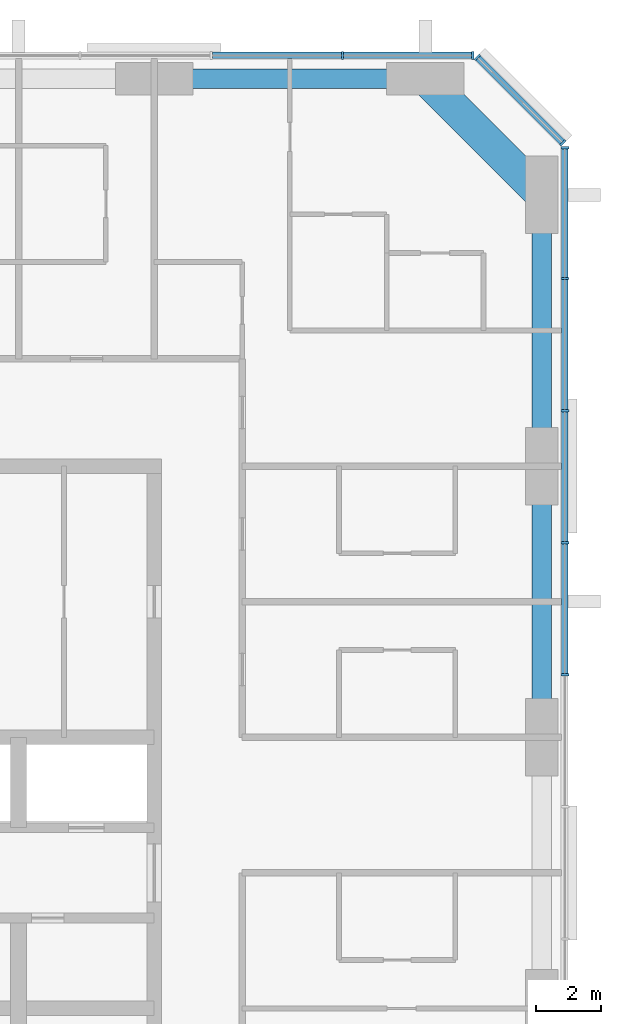
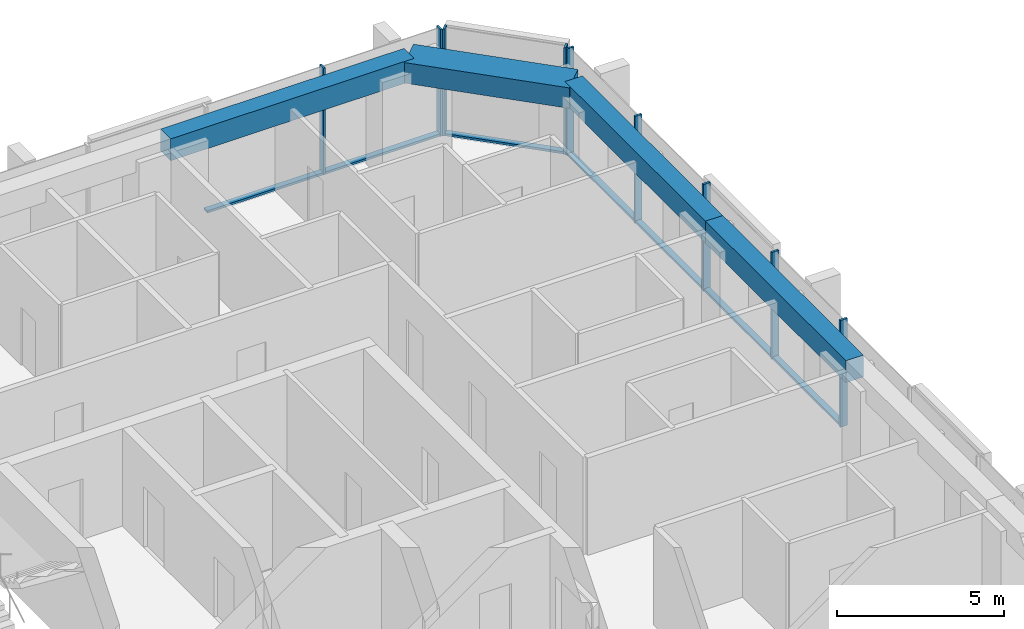
# One storey, part 5 of 12: 16 members, 4 beams, 3 elements without a shape of their own.
"""IFC4 building model written with IfcOpenShell, lengths in metres."""

import ifcopenshell
import ifcopenshell.guid

model = None  # the IFC model being written
_history = None  # IfcOwnerHistory: only IFC2X3 demands one
_inside = {}  # id of a spatial element -> (the spatial element, [elements in it])
_under = {}  # id of a project, library or spatial element -> (it, [spatial elements below it])
_declared = {}  # id of a project -> (the project, [libraries it declares])
_typed = {}  # id of a type object -> (the type object, [elements of that type])
_made_of = {}  # id of a material, layer set ... -> (it, [elements and type objects made of it])


def new_model(schema):
    """Start an empty IFC model of exactly this schema.

    Asked for "IFC4X3", IfcOpenShell would pick the latest addendum, in which some entities
    have other attributes; the version numbers below select the first issue.
    IFC2X3 requires an IfcOwnerHistory on every rooted entity: one is made here for all.
    """
    global model, _history
    if schema == "IFC4X3":
        model = ifcopenshell.file(schema_version=(4, 3, 0, 0))
    else:
        model = ifcopenshell.file(schema=schema)
    _inside.clear()
    _under.clear()
    _declared.clear()
    _typed.clear()
    _made_of.clear()
    _history = None
    if model.schema == "IFC2X3":
        org = make("IfcOrganization", Name="unknown")
        user = make(
            "IfcPersonAndOrganization",
            ThePerson=make("IfcPerson", FamilyName="unknown"),
            TheOrganization=org,
        )
        app = make(
            "IfcApplication",
            ApplicationDeveloper=org,
            Version="unknown",
            ApplicationFullName="unknown",
            ApplicationIdentifier="unknown",
        )
        _history = make(
            "IfcOwnerHistory",
            OwningUser=user,
            OwningApplication=app,
            ChangeAction="ADDED",
            CreationDate=0,
        )
    return model


def make(cls, **values):
    """One entity of the class cls with the attributes given. An attribute that is None is left unset."""
    return model.create_entity(
        cls, **{name: value for name, value in values.items() if value is not None}
    )


def rooted(cls, **values):
    """An entity with a GlobalId (a new one), such as an element, a storey or a relation."""
    return make(cls, GlobalId=ifcopenshell.guid.new(), OwnerHistory=_history, **values)


def si_unit(unit_type, name, prefix=None):
    """IfcSIUnit, for example si_unit("LENGTHUNIT", "METRE", prefix="MILLI")."""
    return make("IfcSIUnit", UnitType=unit_type, Prefix=prefix, Name=name)


def assignment(units):
    """IfcUnitAssignment: the units of a project."""
    return None if units is None else make("IfcUnitAssignment", Units=units)


def point(xyz):
    """IfcCartesianPoint."""
    return None if xyz is None else make("IfcCartesianPoint", Coordinates=xyz)


def direction(xyz):
    """IfcDirection."""
    return None if xyz is None else make("IfcDirection", DirectionRatios=xyz)


def frame(location, z_axis=None, x_axis=None):
    """IfcAxis2Placement3D, a coordinate frame: its origin and axes. An axis left out is left unset."""
    return make(
        "IfcAxis2Placement3D",
        Location=point(location),
        Axis=direction(z_axis),
        RefDirection=direction(x_axis),
    )


def frame_2d(location, x_axis=None):
    """IfcAxis2Placement2D, a coordinate frame in the plane: its origin and x axis."""
    return make(
        "IfcAxis2Placement2D", Location=point(location), RefDirection=direction(x_axis)
    )


def origin():
    """The frame at (0, 0, 0) with its axes left unset."""
    return frame((0.0, 0.0, 0.0))


def origin_2d():
    """The frame at (0, 0) in the plane with its x axis left unset."""
    return frame_2d((0.0, 0.0))


def place(relative_to, where):
    """IfcLocalPlacement: puts the frame where relative to a parent placement (None: the world)."""
    return make(
        "IfcLocalPlacement", PlacementRelTo=relative_to, RelativePlacement=where
    )


def context(
    kind, dimensions, precision=None, world=None, true_north=None, identifier=None
):
    """IfcGeometricRepresentationContext, for example the 3D "Model" context."""
    return make(
        "IfcGeometricRepresentationContext",
        ContextIdentifier=identifier,
        ContextType=kind,
        CoordinateSpaceDimension=dimensions,
        Precision=precision,
        WorldCoordinateSystem=world,
        TrueNorth=true_north,
    )


def subcontext(parent, identifier, kind, view, scale=None):
    """IfcGeometricRepresentationSubContext, for example "Body" below "Model"."""
    return make(
        "IfcGeometricRepresentationSubContext",
        ContextIdentifier=identifier,
        ContextType=kind,
        ParentContext=parent,
        TargetScale=scale,
        TargetView=view,
    )


def project(units=None, contexts=None):
    """IfcProject with its units and contexts."""
    return rooted(
        "IfcProject",
        Name="project",
        RepresentationContexts=contexts,
        UnitsInContext=assignment(units),
    )


def spatial(cls, under=None, at=None, **own):
    """A site, building, storey or space (cls), placed at a placement, below another one or the project."""
    s = rooted(cls, ObjectPlacement=at, **own)
    if under is not None:
        _under.setdefault(under.id(), (under, []))[1].append(s)
    return s


def profile(cls, at=None, kind="AREA", **sizes):
    """A parametric profile (cls). Its sizes go by their IFC names, for example OverallWidth=200.0."""
    return make(cls, ProfileType=kind, Position=at, **sizes)


def rectangle(**sizes):
    """IfcRectangleProfileDef."""
    return profile("IfcRectangleProfileDef", **sizes)


def extrude(swept, where, along, depth):
    """IfcExtrudedAreaSolid: the profile swept, set in the frame where, extruded along a direction by depth."""
    return make(
        "IfcExtrudedAreaSolid",
        SweptArea=swept,
        Position=where,
        ExtrudedDirection=direction(along),
        Depth=depth,
    )


def shape(context_of_items, identifier, shape_type, items):
    """IfcShapeRepresentation: the items that make up one representation, for example the "Body"."""
    return make(
        "IfcShapeRepresentation",
        ContextOfItems=context_of_items,
        RepresentationIdentifier=identifier,
        RepresentationType=shape_type,
        Items=items,
    )


def material(Name=None, Category=None):
    """IfcMaterial."""
    return make("IfcMaterial", Name=Name, Category=Category)


def material_profile(
    of_material, cross_section, Name=None, Category=None, Priority=None
):
    """IfcMaterialProfile: a cross section and its material."""
    return make(
        "IfcMaterialProfile",
        Name=Name,
        Material=of_material,
        Profile=cross_section,
        Priority=Priority,
        Category=Category,
    )


def profile_set(profiles, Name=None, composite=None):
    """IfcMaterialProfileSet."""
    return make(
        "IfcMaterialProfileSet",
        Name=Name,
        MaterialProfiles=profiles,
        CompositeProfile=composite,
    )


def made_of(thing, what):
    """Note that an element or type object is made of a material, layer set ...; save() writes the relation."""
    if what is not None:
        _made_of.setdefault(what.id(), (what, []))[1].append(thing)
    return thing


def type_object(cls, material=None, **own):
    """A type object (cls), such as IfcWallType, which elements share."""
    return made_of(rooted(cls, **own), material)


def element(
    cls,
    number,
    at=None,
    inside=None,
    cuts=None,
    type_object=None,
    material=None,
    context=None,
    identifier="Body",
    shape_type=None,
    held_by="IfcProductDefinitionShape",
    body=None,
    shapes=None,
    **own,
):
    """One element of the class cls, such as IfcWall. Its Tag is "e" and its number.

    at: its placement. inside: the storey or other place that contains it. cuts: it is an
    opening in that element (IfcRelVoidsElement). A single representation is given by context,
    identifier, shape_type and body (its items); several are given by shapes. held_by: the class
    of the entity that holds the representations. save() writes the other relations.
    """
    e = rooted(cls, Tag="e%d" % number, ObjectPlacement=at, **own)
    if body is not None:
        shapes = [shape(context, identifier, shape_type, body)]
    if shapes is not None:
        e.Representation = make(held_by, Representations=shapes)
    if inside is not None:
        _inside.setdefault(inside.id(), (inside, []))[1].append(e)
    if cuts is not None:
        rooted(
            "IfcRelVoidsElement", RelatingBuildingElement=cuts, RelatedOpeningElement=e
        )
    if type_object is not None:
        _typed.setdefault(type_object.id(), (type_object, []))[1].append(e)
    return made_of(e, material)


def aggregate(whole, parts):
    """IfcRelAggregates: a whole, such as a stair, and the parts it consists of."""
    return rooted("IfcRelAggregates", RelatingObject=whole, RelatedObjects=parts)


def save(model, path):
    """Write the relations noted so far, then the file.

    IfcRelAggregates (storeys below a building ...), IfcRelContainedInSpatialStructure (elements
    in a storey), IfcRelDefinesByType, IfcRelAssociatesMaterial and IfcRelDeclares: one each for
    every whole, place, type object, material and project.
    """
    for whole, parts in _under.values():
        aggregate(whole, parts)
    for where, things in _inside.values():
        rooted(
            "IfcRelContainedInSpatialStructure",
            RelatedElements=things,
            RelatingStructure=where,
        )
    for kind, things in _typed.values():
        rooted("IfcRelDefinesByType", RelatedObjects=things, RelatingType=kind)
    for what, things in _made_of.values():
        rooted("IfcRelAssociatesMaterial", RelatedObjects=things, RelatingMaterial=what)
    for by, libraries in _declared.values():
        rooted("IfcRelDeclares", RelatingContext=by, RelatedDefinitions=libraries)
    model.write(path)


model = new_model("IFC4")

# Units and contexts
model_context = context("Model", 3, precision=1e-05, world=origin(), true_north=direction((0.0, 1.0)))
body_context = subcontext(model_context, "Body", "Model", "MODEL_VIEW")
ifc_project = project(units=[si_unit("LENGTHUNIT", "METRE"), si_unit("AREAUNIT", "SQUARE_METRE"), si_unit("VOLUMEUNIT", "CUBIC_METRE"), si_unit("PLANEANGLEUNIT", "RADIAN"), si_unit("MASSUNIT", "GRAM", prefix="KILO")], contexts=[model_context])

# Site, building, storey
site_placement = place(None, origin())
site = spatial("IfcSite", under=ifc_project, at=site_placement, CompositionType="ELEMENT")
building_placement = place(site_placement, origin())
building = spatial("IfcBuilding", under=site, at=building_placement, Name="Dunama Terrace Hotel", CompositionType="ELEMENT")
storey_placement = place(building_placement, frame((0.0, 0.0, 256.800048828125)))
storey = spatial("IfcBuildingStorey", under=building, at=storey_placement, Name="L66", CompositionType="ELEMENT", Elevation=256.800048828125)

# Curtain wall, members
ifc_material_1 = material(Name="Aluminium curtain wall system", Category="aluminium")
curtain_wall_type = type_object("IfcCurtainWallType", Name="Unitised fritted glass wall CW-D", PredefinedType="NOTDEFINED", material=ifc_material_1)
curtain_wall_1_placement = place(storey_placement, origin())
curtain_wall_1 = element("IfcCurtainWall", 1, at=curtain_wall_1_placement, inside=storey, type_object=curtain_wall_type, Name="Unitised fritted glass wall CW-D L66", PredefinedType="NOTDEFINED")
ifc_material_2 = material(Name="Aluminium mullion", Category="aluminium")
ifc_material_profile_1 = material_profile(ifc_material_2, rectangle(XDim=0.070068359375, YDim=0.239990234375, at=origin_2d()), Name="CWD MULLION 70X240")
ifc_profile_set_1 = profile_set([ifc_material_profile_1], Name="Aluminium mullion")
member_type_1 = type_object("IfcMemberType", Name="CWD mullion 70x240", PredefinedType="MULLION", material=ifc_profile_set_1)
member_1_placement = place(storey_placement, frame((54.719970703125, 35.535888671875, 0.0), z_axis=(0.0, 0.0, 1.0), x_axis=(0.0, 1.0, 0.0)))
member_1 = element("IfcMember", 2, at=member_1_placement, type_object=member_type_1, Name="CWD mullion", PredefinedType="MULLION", context=body_context, shape_type="SweptSolid", body=[
    extrude(rectangle(XDim=0.070068359375, YDim=0.239990234375, at=origin_2d()), origin(), (0.0, 0.0, 1.0), 3.89990234375),
])
member_2_placement = place(storey_placement, frame((54.719970703125, 39.626953125, 0.0), z_axis=(0.0, 0.0, 1.0), x_axis=(0.0, 1.0, 0.0)))
member_2 = element("IfcMember", 3, at=member_2_placement, type_object=member_type_1, Name="CWD mullion", PredefinedType="MULLION", context=body_context, shape_type="SweptSolid", body=[
    extrude(rectangle(XDim=0.070068359375, YDim=0.239990234375, at=origin_2d()), origin(), (0.0, 0.0, 1.0), 3.89990234375),
])
member_3_placement = place(storey_placement, frame((54.719970703125, 43.718017578125, 0.0), z_axis=(0.0, 0.0, 1.0), x_axis=(0.0, 1.0, 0.0)))
member_3 = element("IfcMember", 4, at=member_3_placement, type_object=member_type_1, Name="CWD mullion", PredefinedType="MULLION", context=body_context, shape_type="SweptSolid", body=[
    extrude(rectangle(XDim=0.070068359375, YDim=0.239990234375, at=origin_2d()), origin(), (0.0, 0.0, 1.0), 3.89990234375),
])
member_4_placement = place(storey_placement, frame((54.719970703125, 47.80908203125, 0.0), z_axis=(0.0, 0.0, 1.0), x_axis=(0.0, 1.0, 0.0)))
member_4 = element("IfcMember", 5, at=member_4_placement, type_object=member_type_1, Name="CWD mullion", PredefinedType="MULLION", context=body_context, shape_type="SweptSolid", body=[
    extrude(rectangle(XDim=0.070068359375, YDim=0.239990234375, at=origin_2d()), origin(), (0.0, 0.0, 1.0), 3.89990234375),
])
member_5_placement = place(storey_placement, frame((54.719970703125, 51.864990234375, 0.0), z_axis=(0.0, 0.0, 1.0), x_axis=(0.0, 1.0, 0.0)))
member_5 = element("IfcMember", 6, at=member_5_placement, type_object=member_type_1, Name="CWD mullion", PredefinedType="MULLION", context=body_context, shape_type="SweptSolid", body=[
    extrude(rectangle(XDim=0.070068359375, YDim=0.239990234375, at=origin_2d()), origin(), (0.0, 0.0, 1.0), 3.89990234375),
])

curtain_wall_2_placement = place(storey_placement, origin())
curtain_wall_2 = element("IfcCurtainWall", 7, at=curtain_wall_2_placement, inside=storey, type_object=curtain_wall_type, Name="Unitised fritted glass wall CW-D L66", PredefinedType="NOTDEFINED")
member_6_placement = place(storey_placement, frame((54.659912109375, 52.010009765625, 0.0), z_axis=(0.0, 0.0, 1.0), x_axis=(-0.707106781187, 0.707106781187, 0.0)))
member_6 = element("IfcMember", 8, at=member_6_placement, type_object=member_type_1, Name="CWD mullion", PredefinedType="MULLION", context=body_context, shape_type="SweptSolid", body=[
    extrude(rectangle(XDim=0.070068359375, YDim=0.239990234375, at=origin_2d()), origin(), (0.0, 0.0, 1.0), 3.89990234375),
])
member_7_placement = place(storey_placement, frame((52.010009765625, 54.659912109375, 0.0), z_axis=(0.0, 0.0, 1.0), x_axis=(-0.707106781187, 0.707106781187, 0.0)))
member_7 = element("IfcMember", 9, at=member_7_placement, type_object=member_type_1, Name="CWD mullion", PredefinedType="MULLION", context=body_context, shape_type="SweptSolid", body=[
    extrude(rectangle(XDim=0.070068359375, YDim=0.239990234375, at=origin_2d()), origin(), (0.0, 0.0, 1.0), 3.89990234375),
])

curtain_wall_3_placement = place(storey_placement, origin())
curtain_wall_3 = element("IfcCurtainWall", 10, at=curtain_wall_3_placement, inside=storey, type_object=curtain_wall_type, Name="Unitised fritted glass wall CW-D L66", PredefinedType="NOTDEFINED")
member_8_placement = place(storey_placement, frame((51.864990234375, 54.719970703125, 0.0), z_axis=(0.0, 0.0, 1.0), x_axis=(-1.0, 0.0, 0.0)))
member_8 = element("IfcMember", 11, at=member_8_placement, type_object=member_type_1, Name="CWD mullion", PredefinedType="MULLION", context=body_context, shape_type="SweptSolid", body=[
    extrude(rectangle(XDim=0.070068359375, YDim=0.239990234375, at=origin_2d()), origin(), (0.0, 0.0, 1.0), 3.89990234375),
])
member_9_placement = place(storey_placement, frame((47.8330078125, 54.719970703125, 0.0), z_axis=(0.0, 0.0, 1.0), x_axis=(-1.0, 0.0, 0.0)))
member_9 = element("IfcMember", 12, at=member_9_placement, type_object=member_type_1, Name="CWD mullion", PredefinedType="MULLION", context=body_context, shape_type="SweptSolid", body=[
    extrude(rectangle(XDim=0.070068359375, YDim=0.239990234375, at=origin_2d()), origin(), (0.0, 0.0, 1.0), 3.89990234375),
])

# Member
ifc_material_3 = material(Name="Aluminium transom", Category="aluminium")
ifc_material_profile_2 = material_profile(ifc_material_3, rectangle(XDim=0.199951171875, YDim=0.0849609375, at=origin_2d()), Name="CWD TRANSOM 200X85")
ifc_profile_set_2 = profile_set([ifc_material_profile_2], Name="Aluminium transom")
member_type_2 = type_object("IfcMemberType", Name="CWD transom 200x85", PredefinedType="USERDEFINED", material=ifc_profile_set_2)
member_10_placement = place(storey_placement, frame((54.719970703125, 35.571044921875, 0.04248046875), z_axis=(0.0, 1.0, 0.0), x_axis=(-1.0, 0.0, 0.0)))
member_10 = element("IfcMember", 13, at=member_10_placement, type_object=member_type_2, Name="CWD transom", ObjectType="TRANSOM", PredefinedType="USERDEFINED", context=body_context, shape_type="SweptSolid", body=[
    extrude(rectangle(XDim=0.199951171875, YDim=0.0849609375, at=origin_2d()), origin(), (0.0, 0.0, 1.0), 4.02099609375),
])

member_11_placement = place(storey_placement, frame((54.719970703125, 39.662109375, 0.04248046875), z_axis=(0.0, 1.0, 0.0), x_axis=(-1.0, 0.0, 0.0)))
member_11 = element("IfcMember", 14, at=member_11_placement, type_object=member_type_2, Name="CWD transom", ObjectType="TRANSOM", PredefinedType="USERDEFINED", context=body_context, shape_type="SweptSolid", body=[
    extrude(rectangle(XDim=0.199951171875, YDim=0.0849609375, at=origin_2d()), origin(), (0.0, 0.0, 1.0), 4.02099609375),
])

member_12_placement = place(storey_placement, frame((54.719970703125, 43.7529296875, 0.04248046875), z_axis=(0.0, 1.0, 0.0), x_axis=(-1.0, 0.0, 0.0)))
member_12 = element("IfcMember", 15, at=member_12_placement, type_object=member_type_2, Name="CWD transom", ObjectType="TRANSOM", PredefinedType="USERDEFINED", context=body_context, shape_type="SweptSolid", body=[
    extrude(rectangle(XDim=0.199951171875, YDim=0.0849609375, at=origin_2d()), origin(), (0.0, 0.0, 1.0), 4.02099609375),
])

member_13_placement = place(storey_placement, frame((54.719970703125, 47.843994140625, 0.04248046875), z_axis=(0.0, 1.0, 0.0), x_axis=(-1.0, 0.0, 0.0)))
member_13 = element("IfcMember", 16, at=member_13_placement, type_object=member_type_2, Name="CWD transom", ObjectType="TRANSOM", PredefinedType="USERDEFINED", context=body_context, shape_type="SweptSolid", body=[
    extrude(rectangle(XDim=0.199951171875, YDim=0.0849609375, at=origin_2d()), origin(), (0.0, 0.0, 1.0), 3.986083984375),
])

aggregate(curtain_wall_1, [member_1, member_2, member_3, member_4, member_5, member_10, member_11, member_12, member_13])

member_14_placement = place(storey_placement, frame((54.635009765625, 52.033935546875, 0.04248046875), z_axis=(-0.707106781187, 0.707106781187, 0.0), x_axis=(-0.707106781187, -0.707106781187, 0.0)))
member_14 = element("IfcMember", 17, at=member_14_placement, type_object=member_type_2, Name="CWD transom", ObjectType="TRANSOM", PredefinedType="USERDEFINED", context=body_context, shape_type="SweptSolid", body=[
    extrude(rectangle(XDim=0.199951171875, YDim=0.0849609375, at=origin_2d()), origin(), (0.0, 0.0, 1.0), 3.678466796875),
])

aggregate(curtain_wall_2, [member_6, member_7, member_14])

member_15_placement = place(storey_placement, frame((51.830078125, 54.719970703125, 0.04248046875), z_axis=(-1.0, 0.0, 0.0), x_axis=(0.0, -1.0, 0.0)))
member_15 = element("IfcMember", 18, at=member_15_placement, type_object=member_type_2, Name="CWD transom", ObjectType="TRANSOM", PredefinedType="USERDEFINED", context=body_context, shape_type="SweptSolid", body=[
    extrude(rectangle(XDim=0.199951171875, YDim=0.0849609375, at=origin_2d()), origin(), (0.0, 0.0, 1.0), 3.962158203125),
])

member_16_placement = place(storey_placement, frame((47.798095703125, 54.719970703125, 0.04248046875), z_axis=(-1.0, 0.0, 0.0), x_axis=(0.0, -1.0, 0.0)))
member_16 = element("IfcMember", 19, at=member_16_placement, type_object=member_type_2, Name="CWD transom", ObjectType="TRANSOM", PredefinedType="USERDEFINED", context=body_context, shape_type="SweptSolid", body=[
    extrude(rectangle(XDim=0.199951171875, YDim=0.0849609375, at=origin_2d()), origin(), (0.0, 0.0, 1.0), 3.99609375),
])

aggregate(curtain_wall_3, [member_8, member_9, member_15, member_16])

# Beams
ifc_material_4 = material(Name="Concrete C50/60", Category="concrete")
ifc_material_profile_3 = material_profile(ifc_material_4, rectangle(XDim=1.0, YDim=0.75, at=origin_2d()), Name="RC 1000x750")
ifc_profile_set_3 = profile_set([ifc_material_profile_3], Name="Concrete C50/60")
beam_type_1 = type_object("IfcBeamType", Name="Edge beam RC 1000x750", PredefinedType="SPANDREL", material=ifc_profile_set_3)
beam_placement = place(storey_placement, frame((50.39990234375, 54.0, 3.52490234375), z_axis=(0.707106781187, -0.707106781187, 0.0), x_axis=(0.707106781187, 0.707106781187, 0.0)))
element("IfcBeam", 20, at=beam_placement, inside=storey, type_object=beam_type_1, Name="Corner edge beam under L67", PredefinedType="SPANDREL", context=body_context, shape_type="SweptSolid", body=[
    extrude(rectangle(XDim=1.0, YDim=0.75, at=origin_2d()), origin(), (0.0, 0.0, 1.0), 5.09130859375),
])
ifc_material_5 = material(Name="Concrete C40/50", Category="concrete")
ifc_material_profile_4 = material_profile(ifc_material_5, rectangle(XDim=0.60009765625, YDim=0.800048828125, at=origin_2d()), Name="RC 600x800")
ifc_profile_set_4 = profile_set([ifc_material_profile_4], Name="Concrete C40/50")
beam_type_2 = type_object("IfcBeamType", Name="Edge beam RC 600x800", PredefinedType="SPANDREL", material=ifc_profile_set_4)
for number, where, z_axis, x_axis, name in (
    (21, (54.0, 33.60009765625, 3.5), (0.0, 1.0, 0.0), (-1.0, 0.0, 0.0), "Edge beam under L67"),
    (22, (54.0, 42.0, 3.5), (0.0, 1.0, 0.0), (-1.0, 0.0, 0.0), "Edge beam under L67"),
    (23, (42.0, 54.0, 3.5), (1.0, 0.0, 0.0), (0.0, 1.0, 0.0), "Edge beam under L67"),
):
    element("IfcBeam", number, at=place(storey_placement, frame(where, z_axis=z_axis, x_axis=x_axis)), inside=storey, type_object=beam_type_2, Name=name, PredefinedType="SPANDREL", context=body_context, shape_type="SweptSolid", body=[
        extrude(rectangle(XDim=0.60009765625, YDim=0.800048828125, at=origin_2d()), origin(), (0.0, 0.0, 1.0), 8.39990234375),
    ])

save(model, "model.ifc")
